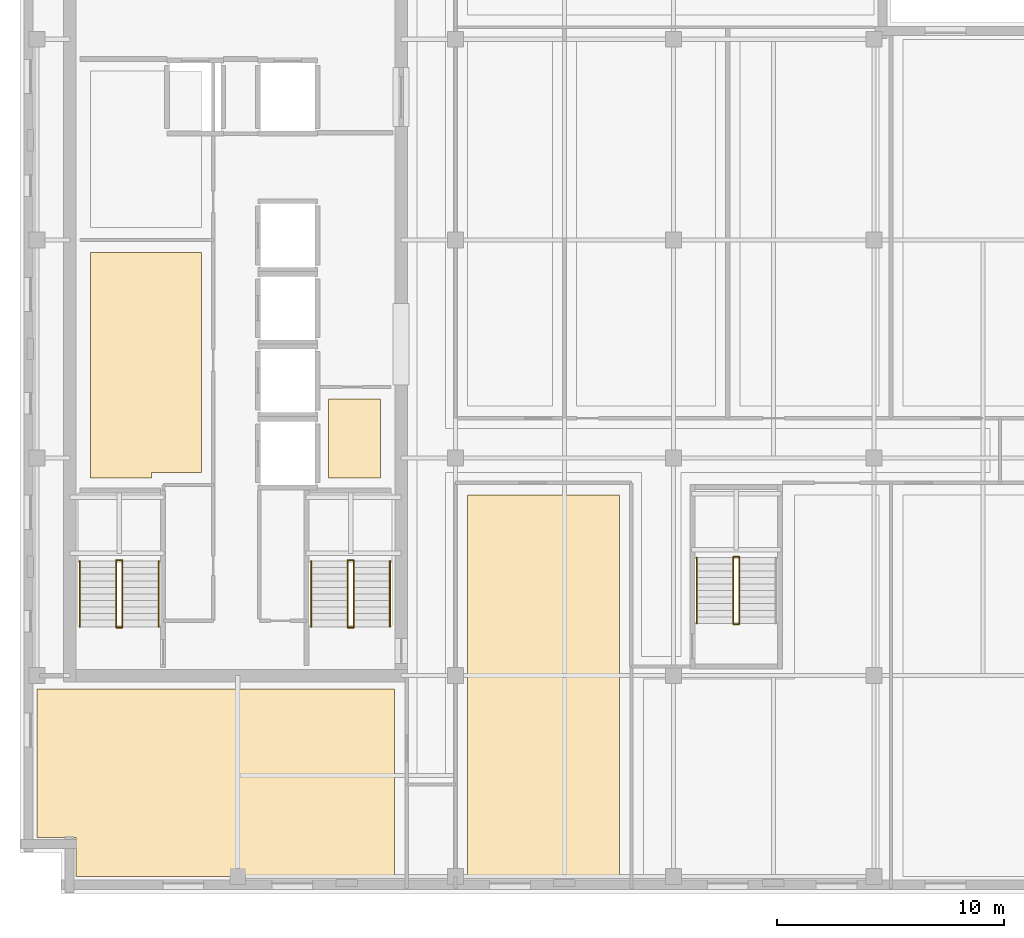
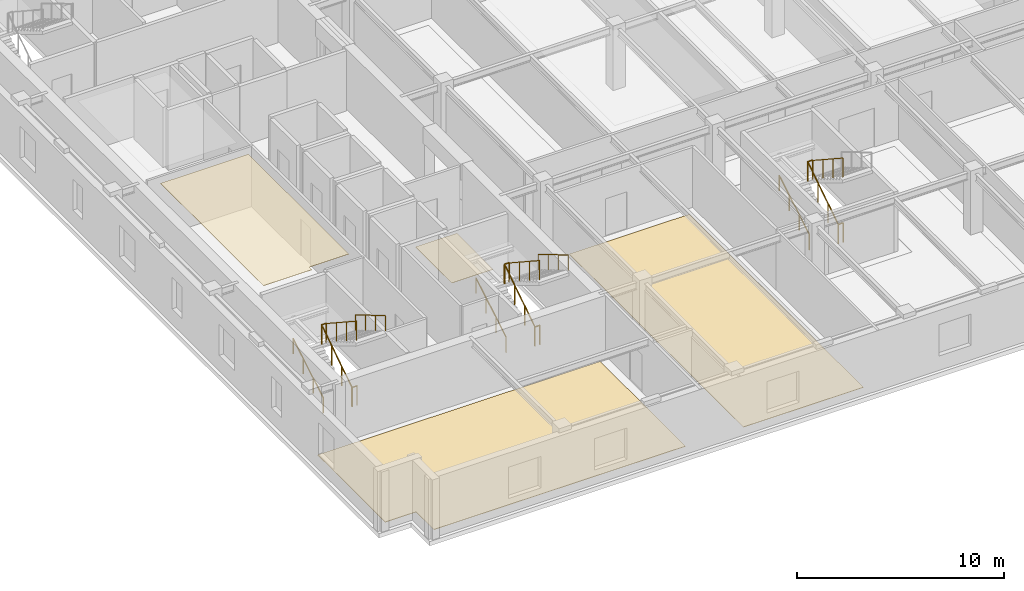
# One storey, part 8 of 11: 17 railings, 4 coverings.
"""IFC4 building model written with IfcOpenShell, lengths in metres."""

from ifc_helpers import new_model, si_unit, direction, frame, origin, origin_2d, place, context, subcontext, project, spatial, polyline, circle, outline, extrude, material, layer, layer_set, type_object, element, save


model = new_model("IFC4")

# Units and contexts
model_context = context("Model", 3, precision=1e-05, world=origin(), true_north=direction((0.0, 1.0)))
body_context = subcontext(model_context, "Body", "Model", "MODEL_VIEW")
ifc_project = project(units=[si_unit("LENGTHUNIT", "METRE"), si_unit("AREAUNIT", "SQUARE_METRE"), si_unit("VOLUMEUNIT", "CUBIC_METRE"), si_unit("PLANEANGLEUNIT", "RADIAN"), si_unit("MASSUNIT", "GRAM", prefix="KILO")], contexts=[model_context])

# Site, building, storey
site_placement = place(None, origin())
site = spatial("IfcSite", under=ifc_project, at=site_placement, CompositionType="ELEMENT")
building_placement = place(site_placement, origin())
building = spatial("IfcBuilding", under=site, at=building_placement, Name="Norrvale University Quadrangle", CompositionType="ELEMENT")
storey_placement = place(building_placement, frame((0.0, 0.0, 284.800048828125)))
storey = spatial("IfcBuildingStorey", under=building, at=storey_placement, Name="L72", CompositionType="ELEMENT", Elevation=284.800048828125)

# Coverings
ifc_material_1 = material(Name="Perforated Acoustic Mineral Ceiling")
ifc_layer_1 = layer(ifc_material_1, 0.02490234375, Name="Perforated Acoustic Mineral Ceiling")
ifc_layer_set_1 = layer_set([ifc_layer_1], Name="Perforated Acoustic Mineral Ceiling")
covering_type_1 = type_object("IfcCoveringType", Name="Covering Acoustic Ceiling 25", PredefinedType="CEILING", material=ifc_layer_set_1)
covering_1_placement = place(storey_placement, frame((0.0, 0.0, 3.514892578125)))
element("IfcCovering", 1, at=covering_1_placement, inside=storey, type_object=covering_type_1, Name="Acoustic Ceiling RM-L72-REC2", PredefinedType="CEILING", context=body_context, shape_type="SweptSolid", body=[
    extrude(outline(polyline([(3.10009765625, 18.300048828125), (3.10009765625, 28.25), (8.0, 28.25), (8.0, 18.550048828125), (5.800048828125, 18.550048828125), (5.800048828125, 18.300048828125), (3.10009765625, 18.300048828125)])), origin(), (0.0, 0.0, 1.0), 0.025146484375),
])
ifc_material_2 = material(Name="Polished Terrazzo Flooring")
ifc_layer_2 = layer(ifc_material_2, 0.02490234375, Name="Polished Terrazzo Flooring")
ifc_layer_set_2 = layer_set([ifc_layer_2], Name="Polished Terrazzo Flooring")
covering_type_2 = type_object("IfcCoveringType", Name="Covering Terrazzo Floor 30", PredefinedType="FLOORING", material=ifc_layer_set_2)
covering_2_placement = place(storey_placement, origin())
element("IfcCovering", 2, at=covering_2_placement, inside=storey, type_object=covering_type_2, Name="Terrazzo Flooring RM-L72-JAN", PredefinedType="FLOORING", context=body_context, shape_type="SweptSolid", body=[
    extrude(outline(polyline([(13.60009765625, 18.300048828125), (13.60009765625, 21.800048828125), (15.89990234375, 21.800048828125), (15.89990234375, 18.300048828125), (13.60009765625, 18.300048828125)])), origin(), (0.0, 0.0, 1.0), 0.02490234375),
])
covering_3_placement = place(storey_placement, origin())
element("IfcCovering", 3, at=covering_3_placement, inside=storey, type_object=covering_type_2, Name="Terrazzo Flooring RM-L72-SW1", PredefinedType="FLOORING", context=body_context, shape_type="SweptSolid", body=[
    extrude(outline(polyline([(0.75, 9.0), (16.5, 9.0), (16.5, 0.75), (2.469970703125, 0.75), (2.469970703125, 2.469970703125), (0.75, 2.469970703125), (0.75, 9.0)])), origin(), (0.0, 0.0, 1.0), 0.02490234375),
])
covering_4_placement = place(storey_placement, origin())
element("IfcCovering", 4, at=covering_4_placement, inside=storey, type_object=covering_type_2, Name="Terrazzo Flooring RM-L72-SE1", PredefinedType="FLOORING", context=body_context, shape_type="SweptSolid", body=[
    extrude(outline(polyline([(19.72998046875, 17.570068359375), (26.419921875, 17.570068359375), (26.419921875, 0.75), (19.72998046875, 0.75), (19.72998046875, 17.570068359375)])), origin(), (0.0, 0.0, 1.0), 0.02490234375),
])

# Railings
ifc_material_3 = material(Name="Steel 350W Painted Balustrade", Category="steel")
railing_type_1 = type_object("IfcRailingType", Name="Railing Stair Guard 1100", PredefinedType="GUARDRAIL", material=ifc_material_3)
for number, where, name in (
    (5, (4.239990234375, 11.719970703125, 0.0), "Stair Floor Well Guard ST-01 L72"),
    (6, (4.239990234375, 14.679931640625, 1.89990234375), "Stair Mid-Landing Slot Guard ST-01 L72"),
):
    element("IfcRailing", number, at=place(storey_placement, frame(where)), inside=storey, type_object=railing_type_1, Name=name, PredefinedType="GUARDRAIL", context=body_context, shape_type="SweptSolid", body=[
        extrude(circle(Radius=0.02392578125, at=origin_2d()), frame((0.0, 0.0, 1.1259765625), z_axis=(1.0, 0.0, 0.0), x_axis=(0.0, 1.0, 0.0)), (0.0, 0.0, 1.0), 0.27001953125),
        extrude(circle(Radius=0.02099609375, at=origin_2d()), origin(), (0.0, 0.0, 1.0), 1.101806640625),
        extrude(circle(Radius=0.02099609375, at=origin_2d()), frame((0.27001953125, 0.0, 0.0)), (0.0, 0.0, 1.0), 1.101806640625),
    ])
railing_1_placement = place(storey_placement, frame((4.239990234375, 11.75, 0.0)))
element("IfcRailing", 7, at=railing_1_placement, inside=storey, type_object=railing_type_1, Name="Stair Lower Flight Inner Guard ST-01 L72", PredefinedType="GUARDRAIL", context=body_context, shape_type="SweptSolid", body=[
    extrude(circle(Radius=0.02392578125, at=origin_2d()), frame((0.0, 0.0, 1.1259765625), z_axis=(0.0, 0.836465582154, 0.548019461216), x_axis=(-1.0, 0.0, 0.0)), (0.0, 0.0, 1.0), 3.466796875),
    extrude(circle(Radius=0.02099609375, at=origin_2d()), origin(), (0.0, 0.0, 1.0), 1.101806640625),
    extrude(circle(Radius=0.02099609375, at=origin_2d()), frame((0.0, 0.966552734375, 0.63330078125)), (0.0, 0.0, 1.0), 1.101806640625),
    extrude(circle(Radius=0.02099609375, at=origin_2d()), frame((0.0, 1.933349609375, 1.2666015625)), (0.0, 0.0, 1.0), 1.101806640625),
    extrude(circle(Radius=0.02099609375, at=origin_2d()), frame((0.0, 2.89990234375, 1.89990234375)), (0.0, 0.0, 1.0), 1.101806640625),
])
railing_2_placement = place(storey_placement, frame((4.510009765625, 14.64990234375, 1.89990234375)))
element("IfcRailing", 8, at=railing_2_placement, inside=storey, type_object=railing_type_1, Name="Stair Upper Flight Inner Guard ST-01 L72", PredefinedType="GUARDRAIL", context=body_context, shape_type="SweptSolid", body=[
    extrude(circle(Radius=0.02392578125, at=origin_2d()), frame((0.0, 0.0, 1.1259765625), z_axis=(0.0, -0.836433300813, 0.548068730445), x_axis=(1.0, 0.0, 0.0)), (0.0, 0.0, 1.0), 3.467041015625),
    extrude(circle(Radius=0.02099609375, at=origin_2d()), origin(), (0.0, 0.0, 1.0), 1.101806640625),
    extrude(circle(Radius=0.02099609375, at=origin_2d()), frame((0.0, -0.966552734375, 0.63330078125)), (0.0, 0.0, 1.0), 1.101806640625),
    extrude(circle(Radius=0.02099609375, at=origin_2d()), frame((0.0, -1.933349609375, 1.266845703125)), (0.0, 0.0, 1.0), 1.101806640625),
    extrude(circle(Radius=0.02099609375, at=origin_2d()), frame((0.0, -2.89990234375, 1.900146484375)), (0.0, 0.0, 1.0), 1.101806640625),
])
for number, where, name in (
    (9, (14.43994140625, 11.719970703125, 0.0), "Stair Floor Well Guard ST-03 L72"),
    (10, (14.43994140625, 14.679931640625, 1.89990234375), "Stair Mid-Landing Slot Guard ST-03 L72"),
):
    element("IfcRailing", number, at=place(storey_placement, frame(where)), inside=storey, type_object=railing_type_1, Name=name, PredefinedType="GUARDRAIL", context=body_context, shape_type="SweptSolid", body=[
        extrude(circle(Radius=0.02392578125, at=origin_2d()), frame((0.0, 0.0, 1.1259765625), z_axis=(1.0, 0.0, 0.0), x_axis=(0.0, 1.0, 0.0)), (0.0, 0.0, 1.0), 0.27001953125),
        extrude(circle(Radius=0.02099609375, at=origin_2d()), origin(), (0.0, 0.0, 1.0), 1.101806640625),
        extrude(circle(Radius=0.02099609375, at=origin_2d()), frame((0.27001953125, 0.0, 0.0)), (0.0, 0.0, 1.0), 1.101806640625),
    ])
railing_3_placement = place(storey_placement, frame((14.43994140625, 11.75, 0.0)))
element("IfcRailing", 11, at=railing_3_placement, inside=storey, type_object=railing_type_1, Name="Stair Lower Flight Inner Guard ST-03 L72", PredefinedType="GUARDRAIL", context=body_context, shape_type="SweptSolid", body=[
    extrude(circle(Radius=0.02392578125, at=origin_2d()), frame((0.0, 0.0, 1.1259765625), z_axis=(0.0, 0.836465582154, 0.548019461216), x_axis=(-1.0, 0.0, 0.0)), (0.0, 0.0, 1.0), 3.466796875),
    extrude(circle(Radius=0.02099609375, at=origin_2d()), origin(), (0.0, 0.0, 1.0), 1.101806640625),
    extrude(circle(Radius=0.02099609375, at=origin_2d()), frame((0.0, 0.966552734375, 0.63330078125)), (0.0, 0.0, 1.0), 1.101806640625),
    extrude(circle(Radius=0.02099609375, at=origin_2d()), frame((0.0, 1.933349609375, 1.2666015625)), (0.0, 0.0, 1.0), 1.101806640625),
    extrude(circle(Radius=0.02099609375, at=origin_2d()), frame((0.0, 2.89990234375, 1.89990234375)), (0.0, 0.0, 1.0), 1.101806640625),
])
railing_4_placement = place(storey_placement, frame((14.7099609375, 14.64990234375, 1.89990234375)))
element("IfcRailing", 12, at=railing_4_placement, inside=storey, type_object=railing_type_1, Name="Stair Upper Flight Inner Guard ST-03 L72", PredefinedType="GUARDRAIL", context=body_context, shape_type="SweptSolid", body=[
    extrude(circle(Radius=0.02392578125, at=origin_2d()), frame((0.0, 0.0, 1.1259765625), z_axis=(0.0, -0.836433300813, 0.548068730445), x_axis=(1.0, 0.0, 0.0)), (0.0, 0.0, 1.0), 3.467041015625),
    extrude(circle(Radius=0.02099609375, at=origin_2d()), origin(), (0.0, 0.0, 1.0), 1.101806640625),
    extrude(circle(Radius=0.02099609375, at=origin_2d()), frame((0.0, -0.966552734375, 0.63330078125)), (0.0, 0.0, 1.0), 1.101806640625),
    extrude(circle(Radius=0.02099609375, at=origin_2d()), frame((0.0, -1.933349609375, 1.266845703125)), (0.0, 0.0, 1.0), 1.101806640625),
    extrude(circle(Radius=0.02099609375, at=origin_2d()), frame((0.0, -2.89990234375, 1.900146484375)), (0.0, 0.0, 1.0), 1.101806640625),
])
for number, where, name in (
    (13, (31.43994140625, 11.8701171875, 0.0), "Stair Floor Well Guard ST-04 L72"),
    (14, (31.43994140625, 14.830078125, 1.89990234375), "Stair Mid-Landing Slot Guard ST-04 L72"),
):
    element("IfcRailing", number, at=place(storey_placement, frame(where)), inside=storey, type_object=railing_type_1, Name=name, PredefinedType="GUARDRAIL", context=body_context, shape_type="SweptSolid", body=[
        extrude(circle(Radius=0.02392578125, at=origin_2d()), frame((0.0, 0.0, 1.1259765625), z_axis=(1.0, 0.0, 0.0), x_axis=(0.0, 1.0, 0.0)), (0.0, 0.0, 1.0), 0.27001953125),
        extrude(circle(Radius=0.02099609375, at=origin_2d()), origin(), (0.0, 0.0, 1.0), 1.101806640625),
        extrude(circle(Radius=0.02099609375, at=origin_2d()), frame((0.27001953125, 0.0, 0.0)), (0.0, 0.0, 1.0), 1.101806640625),
    ])
railing_5_placement = place(storey_placement, frame((31.43994140625, 11.89990234375, 0.0)))
element("IfcRailing", 15, at=railing_5_placement, inside=storey, type_object=railing_type_1, Name="Stair Lower Flight Inner Guard ST-04 L72", PredefinedType="GUARDRAIL", context=body_context, shape_type="SweptSolid", body=[
    extrude(circle(Radius=0.02392578125, at=origin_2d()), frame((0.0, 0.0, 1.1259765625), z_axis=(0.0, 0.836486729621, 0.547987181573), x_axis=(-1.0, 0.0, 0.0)), (0.0, 0.0, 1.0), 3.467041015625),
    extrude(circle(Radius=0.02099609375, at=origin_2d()), origin(), (0.0, 0.0, 1.0), 1.101806640625),
    extrude(circle(Radius=0.02099609375, at=origin_2d()), frame((0.0, 0.966796875, 0.63330078125)), (0.0, 0.0, 1.0), 1.101806640625),
    extrude(circle(Radius=0.02099609375, at=origin_2d()), frame((0.0, 1.933349609375, 1.2666015625)), (0.0, 0.0, 1.0), 1.101806640625),
    extrude(circle(Radius=0.02099609375, at=origin_2d()), frame((0.0, 2.900146484375, 1.89990234375)), (0.0, 0.0, 1.0), 1.101806640625),
])
railing_6_placement = place(storey_placement, frame((31.7099609375, 14.800048828125, 1.89990234375)))
element("IfcRailing", 16, at=railing_6_placement, inside=storey, type_object=railing_type_1, Name="Stair Upper Flight Inner Guard ST-04 L72", PredefinedType="GUARDRAIL", context=body_context, shape_type="SweptSolid", body=[
    extrude(circle(Radius=0.02392578125, at=origin_2d()), frame((0.0, 0.0, 1.1259765625), z_axis=(0.0, -0.836454451266, 0.548036450392), x_axis=(1.0, 0.0, 0.0)), (0.0, 0.0, 1.0), 3.46728515625),
    extrude(circle(Radius=0.02099609375, at=origin_2d()), origin(), (0.0, 0.0, 1.0), 1.101806640625),
    extrude(circle(Radius=0.02099609375, at=origin_2d()), frame((0.0, -0.966796875, 0.63330078125)), (0.0, 0.0, 1.0), 1.101806640625),
    extrude(circle(Radius=0.02099609375, at=origin_2d()), frame((0.0, -1.933349609375, 1.266845703125)), (0.0, 0.0, 1.0), 1.101806640625),
    extrude(circle(Radius=0.02099609375, at=origin_2d()), frame((0.0, -2.900146484375, 1.900146484375)), (0.0, 0.0, 1.0), 1.101806640625),
])
ifc_material_4 = material(Name="Stainless Steel 316L Handrail", Category="steel")
railing_type_2 = type_object("IfcRailingType", Name="Railing Stair Handrail 920", PredefinedType="HANDRAIL", material=ifc_material_4)
railing_7_placement = place(storey_placement, frame((2.639892578125, 11.75, 0.172607421875)))
element("IfcRailing", 17, at=railing_7_placement, inside=storey, type_object=railing_type_2, Name="Stair Lower Flight Handrail ST-01 L72", PredefinedType="HANDRAIL", context=body_context, shape_type="SweptSolid", body=[
    extrude(circle(Radius=0.02392578125, at=origin_2d()), frame((0.0, 0.0, 0.89599609375), z_axis=(0.0, 0.859141464434, 0.511738159696), x_axis=(-1.0, 0.0, 0.0)), (0.0, 0.0, 1.0), 3.375244140625),
    extrude(circle(Radius=0.02099609375, at=origin_2d()), origin(), (0.0, 0.0, 1.0), 0.871826171875),
    extrude(circle(Radius=0.02099609375, at=origin_2d()), frame((0.0, 0.966552734375, 0.57568359375)), (0.0, 0.0, 1.0), 0.871826171875),
    extrude(circle(Radius=0.02099609375, at=origin_2d()), frame((0.0, 1.933349609375, 1.151611328125)), (0.0, 0.0, 1.0), 0.871826171875),
    extrude(circle(Radius=0.02099609375, at=origin_2d()), frame((0.0, 2.89990234375, 1.727294921875)), (0.0, 0.0, 1.0), 0.871826171875),
])
railing_8_placement = place(storey_placement, frame((6.110107421875, 14.64990234375, 2.07275390625)))
element("IfcRailing", 18, at=railing_8_placement, inside=storey, type_object=railing_type_2, Name="Stair Upper Flight Handrail ST-01 L72", PredefinedType="HANDRAIL", context=body_context, shape_type="SweptSolid", body=[
    extrude(circle(Radius=0.02392578125, at=origin_2d()), frame((0.0, 0.0, 0.89599609375), z_axis=(0.0, -0.859141464434, 0.511738159696), x_axis=(1.0, 0.0, 0.0)), (0.0, 0.0, 1.0), 3.375244140625),
    extrude(circle(Radius=0.02099609375, at=origin_2d()), origin(), (0.0, 0.0, 1.0), 0.871826171875),
    extrude(circle(Radius=0.02099609375, at=origin_2d()), frame((0.0, -0.966552734375, 0.57568359375)), (0.0, 0.0, 1.0), 0.871826171875),
    extrude(circle(Radius=0.02099609375, at=origin_2d()), frame((0.0, -1.933349609375, 1.151611328125)), (0.0, 0.0, 1.0), 0.871826171875),
    extrude(circle(Radius=0.02099609375, at=origin_2d()), frame((0.0, -2.89990234375, 1.727294921875)), (0.0, 0.0, 1.0), 0.871826171875),
])
railing_9_placement = place(storey_placement, frame((12.840087890625, 11.75, 0.172607421875)))
element("IfcRailing", 19, at=railing_9_placement, inside=storey, type_object=railing_type_2, Name="Stair Lower Flight Handrail ST-03 L72", PredefinedType="HANDRAIL", context=body_context, shape_type="SweptSolid", body=[
    extrude(circle(Radius=0.02392578125, at=origin_2d()), frame((0.0, 0.0, 0.89599609375), z_axis=(0.0, 0.859141464434, 0.511738159696), x_axis=(-1.0, 0.0, 0.0)), (0.0, 0.0, 1.0), 3.375244140625),
    extrude(circle(Radius=0.02099609375, at=origin_2d()), origin(), (0.0, 0.0, 1.0), 0.871826171875),
    extrude(circle(Radius=0.02099609375, at=origin_2d()), frame((0.0, 0.966552734375, 0.57568359375)), (0.0, 0.0, 1.0), 0.871826171875),
    extrude(circle(Radius=0.02099609375, at=origin_2d()), frame((0.0, 1.933349609375, 1.151611328125)), (0.0, 0.0, 1.0), 0.871826171875),
    extrude(circle(Radius=0.02099609375, at=origin_2d()), frame((0.0, 2.89990234375, 1.727294921875)), (0.0, 0.0, 1.0), 0.871826171875),
])
railing_10_placement = place(storey_placement, frame((16.31005859375, 14.64990234375, 2.07275390625)))
element("IfcRailing", 20, at=railing_10_placement, inside=storey, type_object=railing_type_2, Name="Stair Upper Flight Handrail ST-03 L72", PredefinedType="HANDRAIL", context=body_context, shape_type="SweptSolid", body=[
    extrude(circle(Radius=0.02392578125, at=origin_2d()), frame((0.0, 0.0, 0.89599609375), z_axis=(0.0, -0.859141464434, 0.511738159696), x_axis=(1.0, 0.0, 0.0)), (0.0, 0.0, 1.0), 3.375244140625),
    extrude(circle(Radius=0.02099609375, at=origin_2d()), origin(), (0.0, 0.0, 1.0), 0.871826171875),
    extrude(circle(Radius=0.02099609375, at=origin_2d()), frame((0.0, -0.966552734375, 0.57568359375)), (0.0, 0.0, 1.0), 0.871826171875),
    extrude(circle(Radius=0.02099609375, at=origin_2d()), frame((0.0, -1.933349609375, 1.151611328125)), (0.0, 0.0, 1.0), 0.871826171875),
    extrude(circle(Radius=0.02099609375, at=origin_2d()), frame((0.0, -2.89990234375, 1.727294921875)), (0.0, 0.0, 1.0), 0.871826171875),
])
railing_11_placement = place(storey_placement, frame((29.840087890625, 11.89990234375, 0.172607421875)))
element("IfcRailing", 21, at=railing_11_placement, inside=storey, type_object=railing_type_2, Name="Stair Lower Flight Handrail ST-04 L72", PredefinedType="HANDRAIL", context=body_context, shape_type="SweptSolid", body=[
    extrude(circle(Radius=0.02392578125, at=origin_2d()), frame((0.0, 0.0, 0.89599609375), z_axis=(0.0, 0.859160404282, 0.51170636083), x_axis=(-1.0, 0.0, 0.0)), (0.0, 0.0, 1.0), 3.37548828125),
    extrude(circle(Radius=0.02099609375, at=origin_2d()), origin(), (0.0, 0.0, 1.0), 0.871826171875),
    extrude(circle(Radius=0.02099609375, at=origin_2d()), frame((0.0, 0.966796875, 0.57568359375)), (0.0, 0.0, 1.0), 0.871826171875),
    extrude(circle(Radius=0.02099609375, at=origin_2d()), frame((0.0, 1.933349609375, 1.151611328125)), (0.0, 0.0, 1.0), 0.871826171875),
    extrude(circle(Radius=0.02099609375, at=origin_2d()), frame((0.0, 2.900146484375, 1.727294921875)), (0.0, 0.0, 1.0), 0.871826171875),
])

save(model, "model.ifc")
